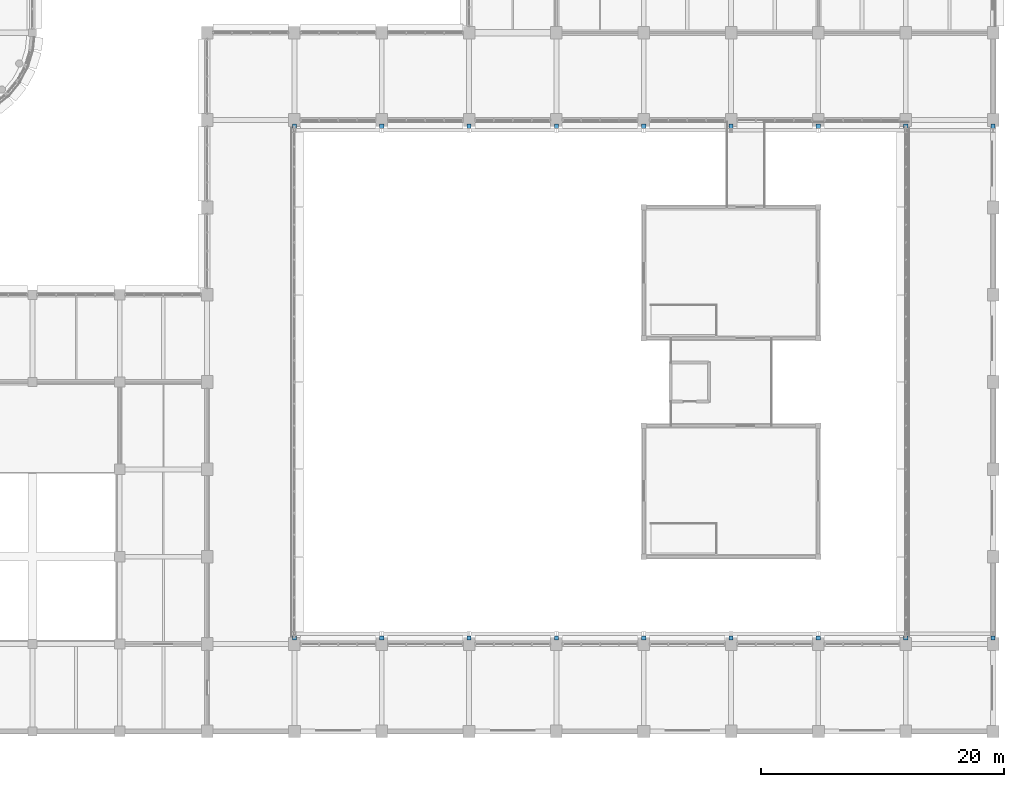
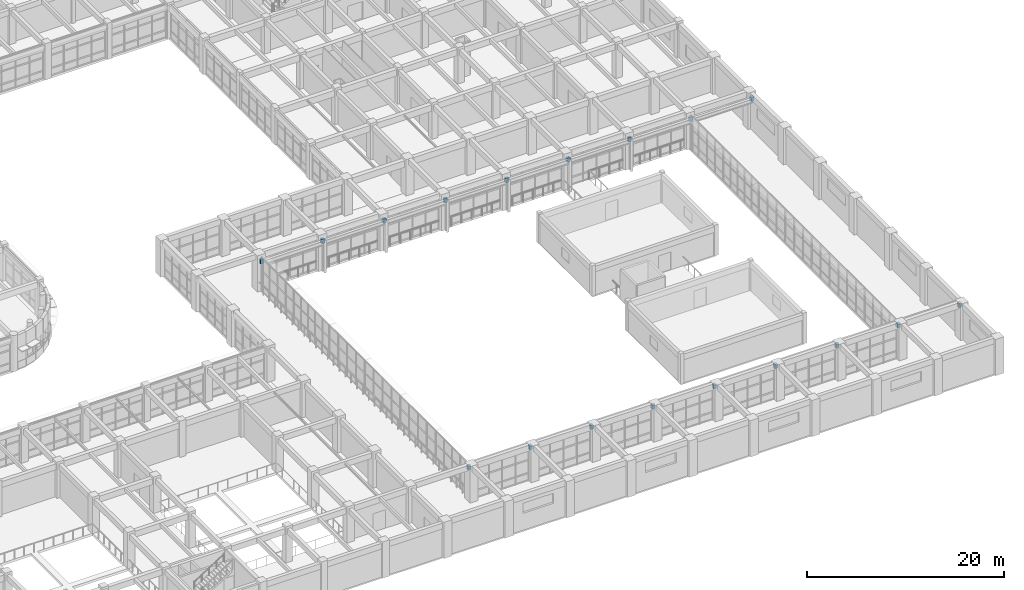
# One storey, part 163 of 171: 18 discrete accessories.
"""IFC4 building model written with IfcOpenShell, lengths in metres."""

from ifc_helpers import new_model, si_unit, direction, frame, origin, origin_2d, place, context, subcontext, project, spatial, rectangle, extrude, material, type_object, element, save


model = new_model("IFC4")

# Units and contexts
model_context = context("Model", 3, precision=1e-05, world=origin(), true_north=direction((0.0, 1.0)))
body_context = subcontext(model_context, "Body", "Model", "MODEL_VIEW")
ifc_project = project(units=[si_unit("LENGTHUNIT", "METRE"), si_unit("AREAUNIT", "SQUARE_METRE"), si_unit("VOLUMEUNIT", "CUBIC_METRE"), si_unit("PLANEANGLEUNIT", "RADIAN"), si_unit("MASSUNIT", "GRAM", prefix="KILO")], contexts=[model_context])

# Site, building, storey
site_placement = place(None, origin())
site = spatial("IfcSite", under=ifc_project, at=site_placement, CompositionType="ELEMENT")
building_placement = place(site_placement, origin())
building = spatial("IfcBuilding", under=site, at=building_placement, Name="Thalmaran Polytechnic", CompositionType="ELEMENT")
storey_placement = place(building_placement, frame((0.0, 0.0, 5.39990234375)))
storey = spatial("IfcBuildingStorey", under=building, at=storey_placement, Name="L01", CompositionType="ELEMENT", Elevation=5.39990234375)

# Discrete accessories
ifc_material = material(Name="Concrete C50/60", Category="concrete")
discrete_accessory_type = type_object("IfcDiscreteAccessoryType", Name="DA-BR01", PredefinedType="BRACKET", material=ifc_material)
for number, where, z_axis, x_axis, name in (
    (1, (115.199951171875, 7.699951171875, 3.4501953125), (0.0, 0.0, 1.0), (1.0, 0.0, 0.0), "Crane Column Tie Bracket G16x01"),
    (2, (122.39990234375, 7.699951171875, 3.4501953125), (0.0, 0.0, 1.0), (1.0, 0.0, 0.0), "Crane Column Tie Bracket G17x01"),
    (3, (129.60009765625, 7.699951171875, 3.4501953125), (0.0, 0.0, 1.0), (1.0, 0.0, 0.0), "Crane Column Tie Bracket G18x01"),
    (4, (136.800048828125, 7.699951171875, 3.4501953125), (0.0, 0.0, 1.0), (1.0, 0.0, 0.0), "Crane Column Tie Bracket G19x01"),
    (5, (144.0, 7.699951171875, 3.4501953125), (0.0, 0.0, 1.0), (1.0, 0.0, 0.0), "Crane Column Tie Bracket G20x01"),
    (6, (151.199951171875, 7.699951171875, 3.4501953125), (0.0, 0.0, 1.0), (1.0, 0.0, 0.0), "Crane Column Tie Bracket G21x01"),
    (7, (158.39990234375, 7.699951171875, 3.4501953125), (0.0, 0.0, 1.0), (1.0, 0.0, 0.0), "Crane Column Tie Bracket G22x01"),
    (8, (165.60009765625, 7.699951171875, 3.4501953125), (0.0, 0.0, 1.0), (1.0, 0.0, 0.0), "Crane Column Tie Bracket G23x01"),
    (9, (172.800048828125, 7.699951171875, 3.4501953125), (0.0, 0.0, 1.0), (1.0, 0.0, 0.0), "Crane Column Tie Bracket G24x01"),
    (10, (115.199951171875, 49.89990234375, 3.4501953125), (0.0, 0.0, 1.0), (1.0, 0.0, 0.0), "Crane Column Tie Bracket G16x07"),
    (11, (122.39990234375, 49.89990234375, 3.4501953125), (0.0, 0.0, 1.0), (1.0, 0.0, 0.0), "Crane Column Tie Bracket G17x07"),
    (12, (129.60009765625, 49.89990234375, 3.4501953125), (0.0, 0.0, 1.0), (1.0, 0.0, 0.0), "Crane Column Tie Bracket G18x07"),
    (13, (136.800048828125, 49.89990234375, 3.4501953125), (0.0, 0.0, 1.0), (1.0, 0.0, 0.0), "Crane Column Tie Bracket G19x07"),
    (14, (144.0, 49.89990234375, 3.4501953125), (0.0, 0.0, 1.0), (1.0, 0.0, 0.0), "Crane Column Tie Bracket G20x07"),
    (15, (151.199951171875, 49.89990234375, 3.4501953125), (0.0, 0.0, 1.0), (1.0, 0.0, 0.0), "Crane Column Tie Bracket G21x07"),
    (16, (158.39990234375, 49.89990234375, 3.4501953125), (0.0, 0.0, 1.0), (1.0, 0.0, 0.0), "Crane Column Tie Bracket G22x07"),
    (17, (165.60009765625, 49.89990234375, 3.4501953125), (0.0, 0.0, 1.0), (1.0, 0.0, 0.0), "Crane Column Tie Bracket G23x07"),
    (18, (172.800048828125, 49.89990234375, 3.4501953125), (0.0, 0.0, 1.0), (1.0, 0.0, 0.0), "Crane Column Tie Bracket G24x07"),
):
    element("IfcDiscreteAccessory", number, at=place(storey_placement, frame(where, z_axis=z_axis, x_axis=x_axis)), inside=storey, type_object=discrete_accessory_type, Name=name, PredefinedType="BRACKET", context=body_context, shape_type="SweptSolid", body=[
        extrude(rectangle(XDim=0.35009765625, YDim=0.35009765625, at=origin_2d()), origin(), (0.0, 0.0, 1.0), 0.5),
    ])

save(model, "model.ifc")
